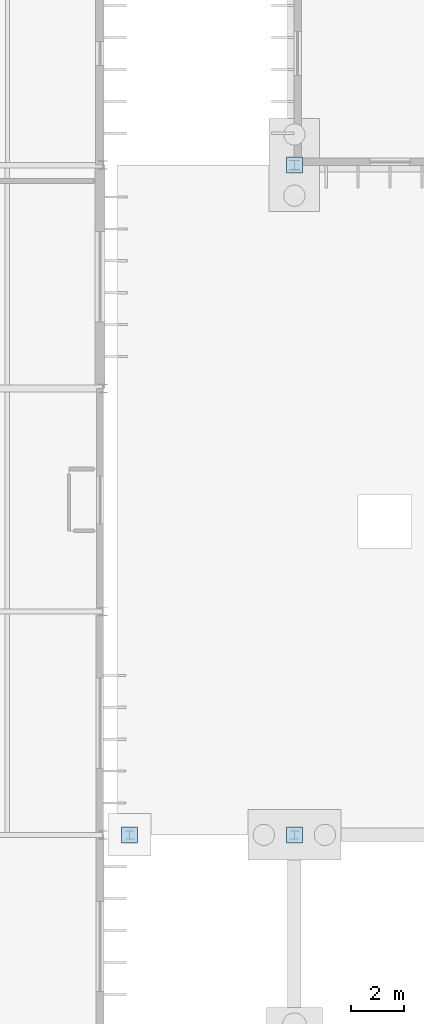
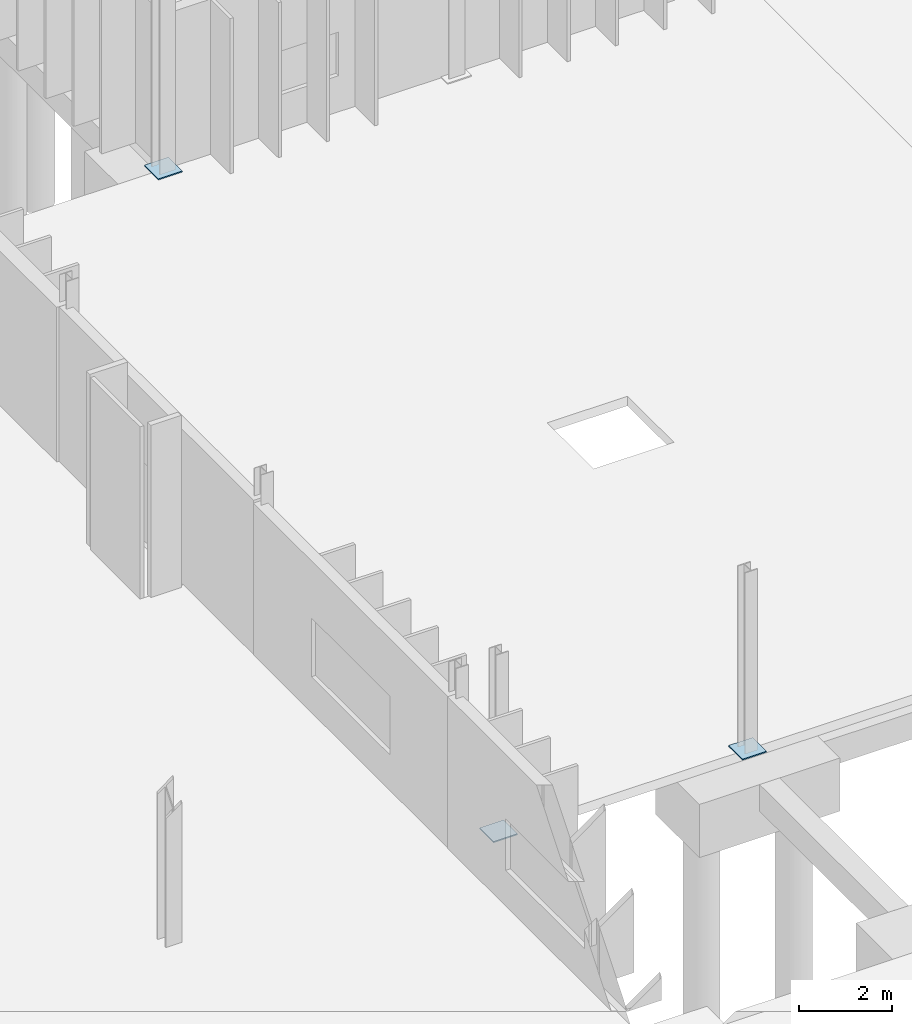
# One storey, part 79 of 118: 3 plates.
"""IFC4 building model written with IfcOpenShell, lengths in metres."""

from ifc_helpers import new_model, si_unit, direction, frame, origin, origin_2d, place, context, subcontext, project, spatial, rectangle, extrude, material, layer, layer_set, type_object, element, save


model = new_model("IFC4")

# Units and contexts
model_context = context("Model", 3, precision=1e-05, world=origin(), true_north=direction((0.0, 1.0)))
body_context = subcontext(model_context, "Body", "Model", "MODEL_VIEW")
ifc_project = project(units=[si_unit("LENGTHUNIT", "METRE"), si_unit("AREAUNIT", "SQUARE_METRE"), si_unit("VOLUMEUNIT", "CUBIC_METRE"), si_unit("PLANEANGLEUNIT", "RADIAN"), si_unit("MASSUNIT", "GRAM", prefix="KILO")], contexts=[model_context])

# Site, building, storey
site_placement = place(None, origin())
site = spatial("IfcSite", under=ifc_project, at=site_placement, CompositionType="ELEMENT")
building_placement = place(site_placement, origin())
building = spatial("IfcBuilding", under=site, at=building_placement, Name="Qelthora Terrace Specialist Clinic", CompositionType="ELEMENT")
storey_placement = place(building_placement, origin())
storey = spatial("IfcBuildingStorey", under=building, at=storey_placement, Name="L00", CompositionType="ELEMENT", Elevation=0.0)

# Plates
ifc_material = material(Name="Steel S355", Category="steel")
ifc_layer = layer(ifc_material, 0.030029296875)
ifc_layer_set = layer_set([ifc_layer], Name="Steel S355")
plate_type = type_object("IfcPlateType", Name="PLT-BASE-600X600X30", PredefinedType="USERDEFINED", material=ifc_layer_set)
for number, where, z_axis, x_axis, name in (
    (1, (51.39990234375, 67.199951171875, 0.0), (0.0, 0.0, 1.0), (1.0, 0.0, 0.0), "Steel column base plate BPLT-070"),
    (2, (57.60009765625, 67.199951171875, 0.0), (0.0, 0.0, 1.0), (1.0, 0.0, 0.0), "Steel column base plate BPLT-077"),
    (3, (57.60009765625, 92.39990234375, 0.0), (0.0, 0.0, 1.0), (1.0, 0.0, 0.0), "Steel column base plate BPLT-078"),
):
    element("IfcPlate", number, at=place(storey_placement, frame(where, z_axis=z_axis, x_axis=x_axis)), inside=storey, type_object=plate_type, Name=name, ObjectType="GUSSET PLATE", PredefinedType="USERDEFINED", context=body_context, shape_type="SweptSolid", body=[
        extrude(rectangle(XDim=0.60009765625, YDim=0.60009765625, at=origin_2d()), origin(), (0.0, 0.0, 1.0), 0.030029296875),
    ])

save(model, "model.ifc")
